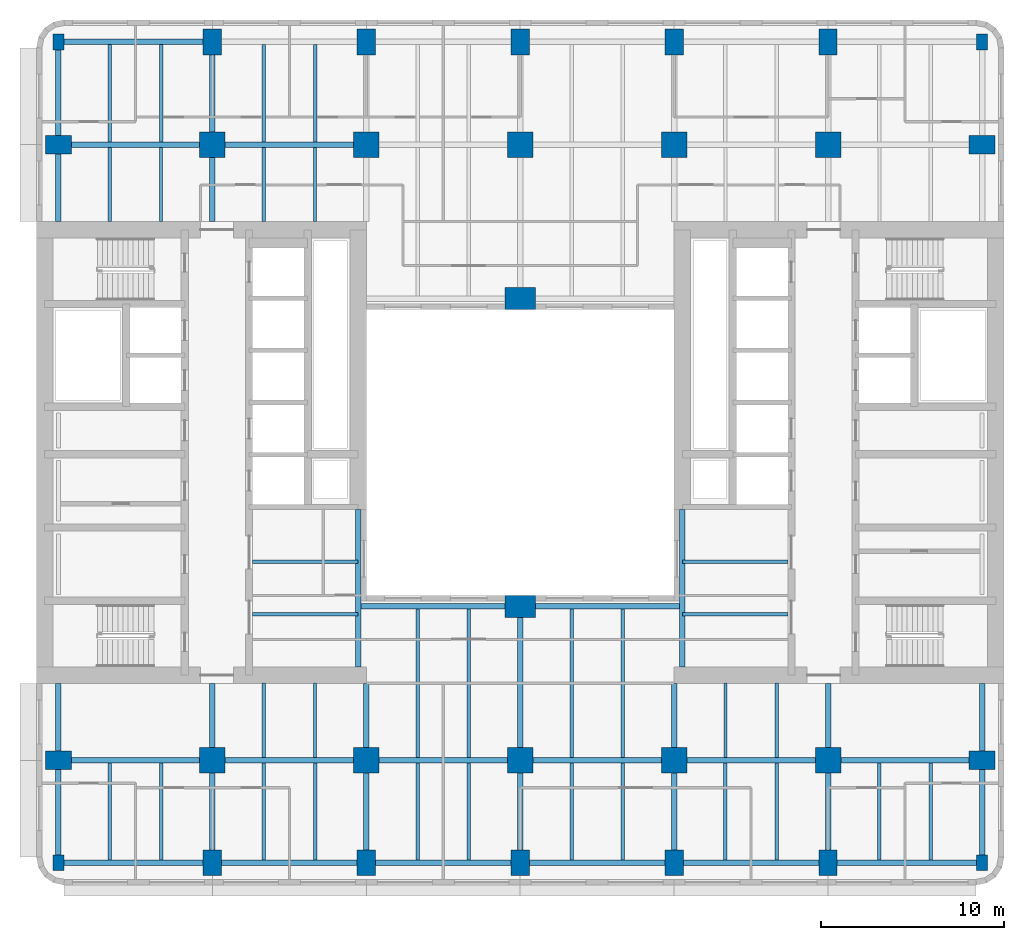
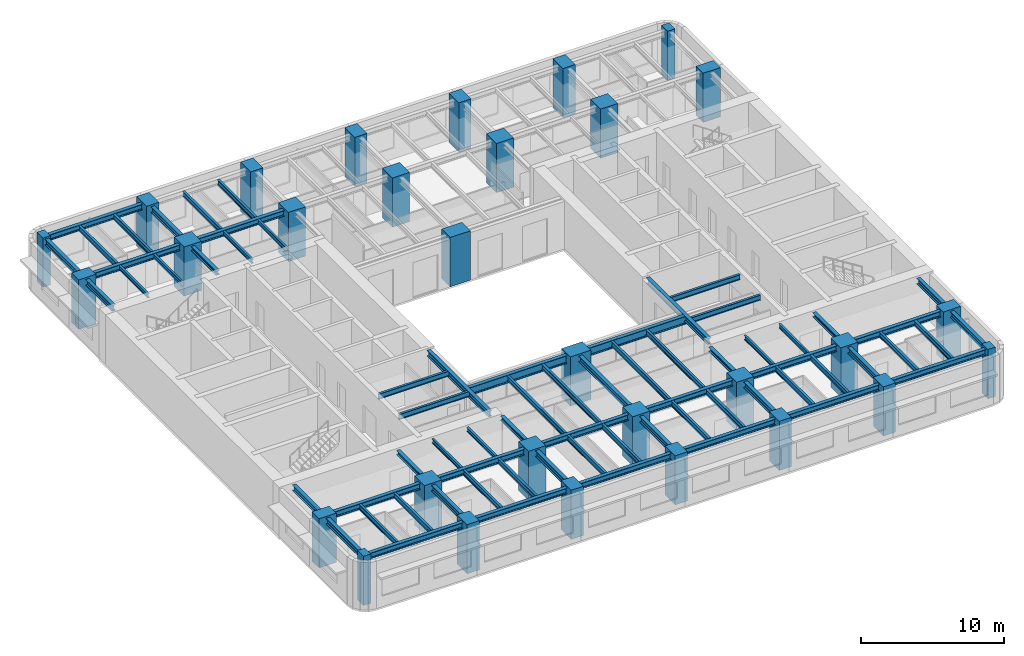
# One storey, part 1 of 11: 69 beams, 30 columns.
"""IFC4 building model written with IfcOpenShell, lengths in metres."""

from ifc_helpers import new_model, si_unit, direction, frame, origin, origin_2d, place, context, subcontext, project, spatial, rectangle, i_section, extrude, material, material_profile, profile_set, type_object, element, save


model = new_model("IFC4")

# Units and contexts
model_context = context("Model", 3, precision=1e-05, world=origin(), true_north=direction((0.0, 1.0)))
body_context = subcontext(model_context, "Body", "Model", "MODEL_VIEW")
ifc_project = project(units=[si_unit("LENGTHUNIT", "METRE"), si_unit("AREAUNIT", "SQUARE_METRE"), si_unit("VOLUMEUNIT", "CUBIC_METRE"), si_unit("PLANEANGLEUNIT", "RADIAN"), si_unit("MASSUNIT", "GRAM", prefix="KILO")], contexts=[model_context])

# Site, building, storey
site_placement = place(None, origin())
site = spatial("IfcSite", under=ifc_project, at=site_placement, CompositionType="ELEMENT")
building_placement = place(site_placement, origin())
building = spatial("IfcBuilding", under=site, at=building_placement, Name="Claustro Exchange Tower", CompositionType="ELEMENT")
storey_placement = place(building_placement, frame((0.0, 0.0, 147.0)))
storey = spatial("IfcBuildingStorey", under=building, at=storey_placement, Name="L33", CompositionType="ELEMENT", Elevation=147.0)

# Columns
ifc_material_1 = material(Name="Concrete HA-70 (C70/85)", Category="concrete")
ifc_material_profile_1 = material_profile(ifc_material_1, rectangle(XDim=1.39990234375, YDim=1.39990234375, at=origin_2d()), Name="RC 1400x1400")
ifc_profile_set_1 = profile_set([ifc_material_profile_1], Name="Concrete HA-70 (C70/85)")
column_type_1 = type_object("IfcColumnType", Name="C0 RC 1400x1400 HA-70 column", PredefinedType="COLUMN", material=ifc_profile_set_1)
for number, where, z_axis, x_axis, name in (
    (1, (8.39990234375, 8.39990234375, 0.0), (0.0, 0.0, 1.0), (1.0, 0.0, 0.0), "Column C0 2/B L33"),
    (2, (8.39990234375, 42.0, 0.0), (0.0, 0.0, 1.0), (1.0, 0.0, 0.0), "Column C0 2/F L33"),
    (3, (16.800048828125, 8.39990234375, 0.0), (0.0, 0.0, 1.0), (1.0, 0.0, 0.0), "Column C0 3/B L33"),
    (4, (16.800048828125, 42.0, 0.0), (0.0, 0.0, 1.0), (1.0, 0.0, 0.0), "Column C0 3/F L33"),
    (5, (25.199951171875, 8.39990234375, 0.0), (0.0, 0.0, 1.0), (1.0, 0.0, 0.0), "Column C0 4/B L33"),
    (6, (25.199951171875, 42.0, 0.0), (0.0, 0.0, 1.0), (1.0, 0.0, 0.0), "Column C0 4/F L33"),
    (7, (33.60009765625, 8.39990234375, 0.0), (0.0, 0.0, 1.0), (1.0, 0.0, 0.0), "Column C0 5/B L33"),
    (8, (33.60009765625, 42.0, 0.0), (0.0, 0.0, 1.0), (1.0, 0.0, 0.0), "Column C0 5/F L33"),
    (9, (42.0, 8.39990234375, 0.0), (0.0, 0.0, 1.0), (1.0, 0.0, 0.0), "Column C0 6/B L33"),
    (10, (42.0, 42.0, 0.0), (0.0, 0.0, 1.0), (1.0, 0.0, 0.0), "Column C0 6/F L33"),
):
    element("IfcColumn", number, at=place(storey_placement, frame(where, z_axis=z_axis, x_axis=x_axis)), inside=storey, type_object=column_type_1, Name=name, PredefinedType="COLUMN", context=body_context, shape_type="SweptSolid", body=[
        extrude(rectangle(XDim=1.39990234375, YDim=1.39990234375, at=origin_2d()), origin(), (0.0, 0.0, 1.0), 4.199951171875),
    ])
ifc_material_2 = material(Name="Concrete HA-70 (C70/85)", Category="concrete")
ifc_material_profile_2 = material_profile(ifc_material_2, rectangle(XDim=1.0, YDim=1.39990234375, at=origin_2d()), Name="RC 1000x1400")
ifc_profile_set_2 = profile_set([ifc_material_profile_2], Name="Concrete HA-70 (C70/85)")
column_type_2 = type_object("IfcColumnType", Name="C22 RC 1000x1400 HA-70 perimeter column", PredefinedType="COLUMN", material=ifc_profile_set_2)
for number, where, z_axis, x_axis, name in (
    (11, (0.0, 8.39990234375, 0.0), (0.0, 0.0, 1.0), (0.0, 1.0, 0.0), "Column C22 1/B L33"),
    (12, (0.0, 42.0, 0.0), (0.0, 0.0, 1.0), (0.0, 1.0, 0.0), "Column C22 1/F L33"),
    (13, (8.39990234375, 2.800048828125, 0.0), (0.0, 0.0, 1.0), (1.0, 0.0, 0.0), "Column C22 2/A+2800 L33"),
    (14, (8.39990234375, 47.60009765625, 0.0), (0.0, 0.0, 1.0), (1.0, 0.0, 0.0), "Column C22 2/F+5600 L33"),
    (15, (16.800048828125, 2.800048828125, 0.0), (0.0, 0.0, 1.0), (1.0, 0.0, 0.0), "Column C22 3/A+2800 L33"),
    (16, (16.800048828125, 47.60009765625, 0.0), (0.0, 0.0, 1.0), (1.0, 0.0, 0.0), "Column C22 3/F+5600 L33"),
    (17, (25.199951171875, 2.800048828125, 0.0), (0.0, 0.0, 1.0), (1.0, 0.0, 0.0), "Column C22 4/A+2800 L33"),
    (18, (25.199951171875, 47.60009765625, 0.0), (0.0, 0.0, 1.0), (1.0, 0.0, 0.0), "Column C22 4/F+5600 L33"),
    (19, (33.60009765625, 2.800048828125, 0.0), (0.0, 0.0, 1.0), (1.0, 0.0, 0.0), "Column C22 5/A+2800 L33"),
    (20, (33.60009765625, 47.60009765625, 0.0), (0.0, 0.0, 1.0), (1.0, 0.0, 0.0), "Column C22 5/F+5600 L33"),
    (21, (42.0, 2.800048828125, 0.0), (0.0, 0.0, 1.0), (1.0, 0.0, 0.0), "Column C22 6/A+2800 L33"),
    (22, (42.0, 47.60009765625, 0.0), (0.0, 0.0, 1.0), (1.0, 0.0, 0.0), "Column C22 6/F+5600 L33"),
    (23, (50.39990234375, 8.39990234375, 0.0), (0.0, 0.0, 1.0), (0.0, 1.0, 0.0), "Column C22 7/B L33"),
    (24, (50.39990234375, 42.0, 0.0), (0.0, 0.0, 1.0), (0.0, 1.0, 0.0), "Column C22 7/F L33"),
):
    element("IfcColumn", number, at=place(storey_placement, frame(where, z_axis=z_axis, x_axis=x_axis)), inside=storey, type_object=column_type_2, Name=name, PredefinedType="COLUMN", context=body_context, shape_type="SweptSolid", body=[
        extrude(rectangle(XDim=1.0, YDim=1.39990234375, at=origin_2d()), origin(), (0.0, 0.0, 1.0), 4.199951171875),
    ])
ifc_material_3 = material(Name="Concrete HA-50 (C50/60)", Category="concrete")
ifc_material_profile_3 = material_profile(ifc_material_3, rectangle(XDim=0.60009765625, YDim=0.85009765625, at=origin_2d()), Name="RC 600x850")
ifc_profile_set_3 = profile_set([ifc_material_profile_3], Name="Concrete HA-50 (C50/60)")
column_type_3 = type_object("IfcColumnType", Name="C25 RC 600x850 HA-50 corner column", PredefinedType="COLUMN", material=ifc_profile_set_3)
for number, where, z_axis, x_axis, name in (
    (25, (0.0, 2.800048828125, 0.0), (0.0, 0.0, 1.0), (1.0, 0.0, 0.0), "Column C25 1/A+2800 L33"),
    (26, (0.0, 47.60009765625, 0.0), (0.0, 0.0, 1.0), (1.0, 0.0, 0.0), "Column C25 1/F+5600 L33"),
    (27, (50.39990234375, 2.800048828125, 0.0), (0.0, 0.0, 1.0), (1.0, 0.0, 0.0), "Column C25 7/A+2800 L33"),
    (28, (50.39990234375, 47.60009765625, 0.0), (0.0, 0.0, 1.0), (1.0, 0.0, 0.0), "Column C25 7/F+5600 L33"),
):
    element("IfcColumn", number, at=place(storey_placement, frame(where, z_axis=z_axis, x_axis=x_axis)), inside=storey, type_object=column_type_3, Name=name, PredefinedType="COLUMN", context=body_context, shape_type="SweptSolid", body=[
        extrude(rectangle(XDim=0.60009765625, YDim=0.85009765625, at=origin_2d()), origin(), (0.0, 0.0, 1.0), 4.199951171875),
    ])
ifc_material_4 = material(Name="Concrete HA-70 (C70/85)", Category="concrete")
ifc_material_profile_4 = material_profile(ifc_material_4, rectangle(XDim=1.64990234375, YDim=1.199951171875, at=origin_2d()), Name="RC 1650x1200")
ifc_profile_set_4 = profile_set([ifc_material_profile_4], Name="Concrete HA-70 (C70/85)")
column_type_4 = type_object("IfcColumnType", Name="C32 RC 1650x1200 HA-70 light well column", PredefinedType="COLUMN", material=ifc_profile_set_4)
for number, where, z_axis, x_axis, name in (
    (29, (25.199951171875, 16.800048828125, 0.0), (0.0, 0.0, 1.0), (1.0, 0.0, 0.0), "Column C32 4/C L33"),
    (30, (25.199951171875, 33.60009765625, 0.0), (0.0, 0.0, 1.0), (1.0, 0.0, 0.0), "Column C32 4/E L33"),
):
    element("IfcColumn", number, at=place(storey_placement, frame(where, z_axis=z_axis, x_axis=x_axis)), inside=storey, type_object=column_type_4, Name=name, PredefinedType="COLUMN", context=body_context, shape_type="SweptSolid", body=[
        extrude(rectangle(XDim=1.64990234375, YDim=1.199951171875, at=origin_2d()), origin(), (0.0, 0.0, 1.0), 4.199951171875),
    ])

# Beams
ifc_material_5 = material(Name="Steel S355", Category="steel")
ifc_material_profile_5 = material_profile(ifc_material_5, i_section(OverallWidth=0.300048828125, OverallDepth=0.68994140625, WebThickness=0.014404296875, FlangeThickness=0.027099609375, FilletRadius=0.027099609375, at=origin_2d()), Name="HE 700 A")
ifc_profile_set_5 = profile_set([ifc_material_profile_5], Name="Steel S355")
beam_type_1 = type_object("IfcBeamType", Name="B13 HE 700 A light well edge girder", PredefinedType="BEAM", material=ifc_profile_set_5)
beam_1_placement = place(storey_placement, frame((16.35009765625, 16.800048828125, 3.705078125), z_axis=(1.0, 0.0, 0.0), x_axis=(0.0, 1.0, 0.0)))
element("IfcBeam", 31, at=beam_1_placement, inside=storey, type_object=beam_type_1, Name="Beam B13 L34", PredefinedType="BEAM", context=body_context, shape_type="SweptSolid", body=[
    extrude(i_section(OverallWidth=0.300048828125, OverallDepth=0.68994140625, WebThickness=0.014404296875, FlangeThickness=0.027099609375, FilletRadius=0.027099609375, at=origin_2d()), origin(), (0.0, 0.0, 1.0), 8.849853515625),
])
beam_2_placement = place(storey_placement, frame((25.199951171875, 16.800048828125, 3.705078125), z_axis=(1.0, 0.0, 0.0), x_axis=(0.0, 1.0, 0.0)))
element("IfcBeam", 32, at=beam_2_placement, inside=storey, type_object=beam_type_1, Name="Beam B13 L34", PredefinedType="BEAM", context=body_context, shape_type="SweptSolid", body=[
    extrude(i_section(OverallWidth=0.300048828125, OverallDepth=0.68994140625, WebThickness=0.014404296875, FlangeThickness=0.027099609375, FilletRadius=0.027099609375, at=origin_2d()), origin(), (0.0, 0.0, 1.0), 8.85009765625),
])
ifc_material_6 = material(Name="Steel S355", Category="steel")
ifc_material_profile_6 = material_profile(ifc_material_6, i_section(OverallWidth=0.169921875, OverallDepth=0.360107421875, WebThickness=0.008056640625, FlangeThickness=0.0126953125, FilletRadius=0.01806640625, at=origin_2d()), Name="IPE 360")
ifc_profile_set_6 = profile_set([ifc_material_profile_6], Name="Steel S355")
beam_type_2 = type_object("IfcBeamType", Name="B16 IPE 360 short-span beam", PredefinedType="BEAM", material=ifc_profile_set_6)
for number, where, z_axis, x_axis, name in (
    (33, (2.800048828125, 37.7900390625, 3.8701171875), (0.0, 1.0, 0.0), (-1.0, 0.0, 0.0), "Beam B16 L34"),
    (34, (5.60009765625, 37.7900390625, 3.8701171875), (0.0, 1.0, 0.0), (-1.0, 0.0, 0.0), "Beam B16 L34"),
    (35, (11.199951171875, 8.550048828125, 3.8701171875), (0.0, 1.0, 0.0), (-1.0, 0.0, 0.0), "Beam B16 L34"),
    (36, (14.0, 8.550048828125, 3.8701171875), (0.0, 1.0, 0.0), (-1.0, 0.0, 0.0), "Beam B16 L34"),
    (37, (11.199951171875, 37.7900390625, 3.8701171875), (0.0, 1.0, 0.0), (-1.0, 0.0, 0.0), "Beam B16 L34"),
    (38, (14.0, 37.7900390625, 3.8701171875), (0.0, 1.0, 0.0), (-1.0, 0.0, 0.0), "Beam B16 L34"),
    (39, (36.39990234375, 8.550048828125, 3.8701171875), (0.0, 1.0, 0.0), (-1.0, 0.0, 0.0), "Beam B16 L34"),
    (40, (39.199951171875, 8.550048828125, 3.8701171875), (0.0, 1.0, 0.0), (-1.0, 0.0, 0.0), "Beam B16 L34"),
):
    element("IfcBeam", number, at=place(storey_placement, frame(where, z_axis=z_axis, x_axis=x_axis)), inside=storey, type_object=beam_type_2, Name=name, PredefinedType="BEAM", context=body_context, shape_type="SweptSolid", body=[
        extrude(i_section(OverallWidth=0.169921875, OverallDepth=0.360107421875, WebThickness=0.008056640625, FlangeThickness=0.0126953125, FilletRadius=0.01806640625, at=origin_2d()), origin(), (0.0, 0.0, 1.0), 4.06005859375),
    ])
ifc_material_7 = material(Name="Steel S355", Category="steel")
ifc_material_profile_7 = material_profile(ifc_material_7, i_section(OverallWidth=0.300048828125, OverallDepth=0.360107421875, WebThickness=0.012451171875, FlangeThickness=0.0224609375, FilletRadius=0.027099609375, at=origin_2d()), Name="HE 360 B")
ifc_profile_set_7 = profile_set([ifc_material_profile_7], Name="Steel S355")
beam_type_3 = type_object("IfcBeamType", Name="B29 HE 360 B column to core link beam", PredefinedType="BEAM", material=ifc_profile_set_7)
beam_3_placement = place(storey_placement, frame((8.39990234375, 8.39990234375, 3.8701171875), z_axis=(0.0, 1.0, 0.0), x_axis=(-1.0, 0.0, 0.0)))
element("IfcBeam", 41, at=beam_3_placement, inside=storey, type_object=beam_type_3, Name="Beam B29 L34", PredefinedType="BEAM", context=body_context, shape_type="SweptSolid", body=[
    extrude(i_section(OverallWidth=0.300048828125, OverallDepth=0.360107421875, WebThickness=0.012451171875, FlangeThickness=0.0224609375, FilletRadius=0.027099609375, at=origin_2d()), origin(), (0.0, 0.0, 1.0), 4.2001953125),
])
beam_4_placement = place(storey_placement, frame((8.39990234375, 37.800048828125, 3.8701171875), z_axis=(0.0, 1.0, 0.0), x_axis=(-1.0, 0.0, 0.0)))
element("IfcBeam", 42, at=beam_4_placement, inside=storey, type_object=beam_type_3, Name="Beam B29 L34", PredefinedType="BEAM", context=body_context, shape_type="SweptSolid", body=[
    extrude(i_section(OverallWidth=0.300048828125, OverallDepth=0.360107421875, WebThickness=0.012451171875, FlangeThickness=0.0224609375, FilletRadius=0.027099609375, at=origin_2d()), origin(), (0.0, 0.0, 1.0), 4.199951171875),
])
for number, where, z_axis, x_axis, name in (
    (43, (16.800048828125, 8.39990234375, 3.8701171875), (0.0, 1.0, 0.0), (-1.0, 0.0, 0.0), "Beam B29 L34"),
    (44, (33.60009765625, 8.39990234375, 3.8701171875), (0.0, 1.0, 0.0), (-1.0, 0.0, 0.0), "Beam B29 L34"),
    (45, (42.0, 8.39990234375, 3.8701171875), (0.0, 1.0, 0.0), (-1.0, 0.0, 0.0), "Beam B29 L34"),
):
    element("IfcBeam", number, at=place(storey_placement, frame(where, z_axis=z_axis, x_axis=x_axis)), inside=storey, type_object=beam_type_3, Name=name, PredefinedType="BEAM", context=body_context, shape_type="SweptSolid", body=[
        extrude(i_section(OverallWidth=0.300048828125, OverallDepth=0.360107421875, WebThickness=0.012451171875, FlangeThickness=0.0224609375, FilletRadius=0.027099609375, at=origin_2d()), origin(), (0.0, 0.0, 1.0), 4.2001953125),
    ])
ifc_material_8 = material(Name="Steel S355", Category="steel")
ifc_material_profile_8 = material_profile(ifc_material_8, i_section(OverallWidth=0.300048828125, OverallDepth=0.5, WebThickness=0.014404296875, FlangeThickness=0.028076171875, FilletRadius=0.027099609375, at=origin_2d()), Name="HE 500 B")
ifc_profile_set_8 = profile_set([ifc_material_profile_8], Name="Steel S355")
beam_type_4 = type_object("IfcBeamType", Name="B7 HE 500 B floor girder", PredefinedType="BEAM", material=ifc_profile_set_8)
beam_5_placement = place(storey_placement, frame((8.39990234375, 2.800048828125, 3.800048828125), z_axis=(0.0, 1.0, 0.0), x_axis=(-1.0, 0.0, 0.0)))
element("IfcBeam", 46, at=beam_5_placement, inside=storey, type_object=beam_type_4, Name="Beam B7 L34", PredefinedType="BEAM", context=body_context, shape_type="SweptSolid", body=[
    extrude(i_section(OverallWidth=0.300048828125, OverallDepth=0.5, WebThickness=0.014404296875, FlangeThickness=0.028076171875, FilletRadius=0.027099609375, at=origin_2d()), origin(), (0.0, 0.0, 1.0), 5.599853515625),
])
beam_6_placement = place(storey_placement, frame((8.39990234375, 42.0, 3.800048828125), z_axis=(0.0, 1.0, 0.0), x_axis=(-1.0, 0.0, 0.0)))
element("IfcBeam", 47, at=beam_6_placement, inside=storey, type_object=beam_type_4, Name="Beam B7 L34", PredefinedType="BEAM", context=body_context, shape_type="SweptSolid", body=[
    extrude(i_section(OverallWidth=0.300048828125, OverallDepth=0.5, WebThickness=0.014404296875, FlangeThickness=0.028076171875, FilletRadius=0.027099609375, at=origin_2d()), origin(), (0.0, 0.0, 1.0), 5.60009765625),
])
for number, where, z_axis, x_axis, name in (
    (48, (16.800048828125, 2.800048828125, 3.800048828125), (0.0, 1.0, 0.0), (-1.0, 0.0, 0.0), "Beam B7 L34"),
    (49, (25.199951171875, 2.800048828125, 3.800048828125), (0.0, 1.0, 0.0), (-1.0, 0.0, 0.0), "Beam B7 L34"),
):
    element("IfcBeam", number, at=place(storey_placement, frame(where, z_axis=z_axis, x_axis=x_axis)), inside=storey, type_object=beam_type_4, Name=name, PredefinedType="BEAM", context=body_context, shape_type="SweptSolid", body=[
        extrude(i_section(OverallWidth=0.300048828125, OverallDepth=0.5, WebThickness=0.014404296875, FlangeThickness=0.028076171875, FilletRadius=0.027099609375, at=origin_2d()), origin(), (0.0, 0.0, 1.0), 5.599853515625),
    ])
beam_7_placement = place(storey_placement, frame((25.199951171875, 8.39990234375, 3.800048828125), z_axis=(0.0, 1.0, 0.0), x_axis=(-1.0, 0.0, 0.0)))
element("IfcBeam", 50, at=beam_7_placement, inside=storey, type_object=beam_type_4, Name="Beam B7 L34", PredefinedType="BEAM", context=body_context, shape_type="SweptSolid", body=[
    extrude(i_section(OverallWidth=0.300048828125, OverallDepth=0.5, WebThickness=0.014404296875, FlangeThickness=0.028076171875, FilletRadius=0.027099609375, at=origin_2d()), origin(), (0.0, 0.0, 1.0), 8.400146484375),
])
for number, where, z_axis, x_axis, name in (
    (51, (33.60009765625, 2.800048828125, 3.800048828125), (0.0, 1.0, 0.0), (-1.0, 0.0, 0.0), "Beam B7 L34"),
    (52, (42.0, 2.800048828125, 3.800048828125), (0.0, 1.0, 0.0), (-1.0, 0.0, 0.0), "Beam B7 L34"),
):
    element("IfcBeam", number, at=place(storey_placement, frame(where, z_axis=z_axis, x_axis=x_axis)), inside=storey, type_object=beam_type_4, Name=name, PredefinedType="BEAM", context=body_context, shape_type="SweptSolid", body=[
        extrude(i_section(OverallWidth=0.300048828125, OverallDepth=0.5, WebThickness=0.014404296875, FlangeThickness=0.028076171875, FilletRadius=0.027099609375, at=origin_2d()), origin(), (0.0, 0.0, 1.0), 5.599853515625),
    ])
beam_8_placement = place(storey_placement, frame((0.0, 8.39990234375, 3.800048828125), z_axis=(1.0, 0.0, 0.0), x_axis=(0.0, 1.0, 0.0)))
element("IfcBeam", 53, at=beam_8_placement, inside=storey, type_object=beam_type_4, Name="Beam B7 L34", PredefinedType="BEAM", context=body_context, shape_type="SweptSolid", body=[
    extrude(i_section(OverallWidth=0.300048828125, OverallDepth=0.5, WebThickness=0.014404296875, FlangeThickness=0.028076171875, FilletRadius=0.027099609375, at=origin_2d()), origin(), (0.0, 0.0, 1.0), 8.39990234375),
])
beam_9_placement = place(storey_placement, frame((8.39990234375, 8.39990234375, 3.800048828125), z_axis=(1.0, 0.0, 0.0), x_axis=(0.0, 1.0, 0.0)))
element("IfcBeam", 54, at=beam_9_placement, inside=storey, type_object=beam_type_4, Name="Beam B7 L34", PredefinedType="BEAM", context=body_context, shape_type="SweptSolid", body=[
    extrude(i_section(OverallWidth=0.300048828125, OverallDepth=0.5, WebThickness=0.014404296875, FlangeThickness=0.028076171875, FilletRadius=0.027099609375, at=origin_2d()), origin(), (0.0, 0.0, 1.0), 8.400146484375),
])
beam_10_placement = place(storey_placement, frame((16.800048828125, 8.39990234375, 3.800048828125), z_axis=(1.0, 0.0, 0.0), x_axis=(0.0, 1.0, 0.0)))
element("IfcBeam", 55, at=beam_10_placement, inside=storey, type_object=beam_type_4, Name="Beam B7 L34", PredefinedType="BEAM", context=body_context, shape_type="SweptSolid", body=[
    extrude(i_section(OverallWidth=0.300048828125, OverallDepth=0.5, WebThickness=0.014404296875, FlangeThickness=0.028076171875, FilletRadius=0.027099609375, at=origin_2d()), origin(), (0.0, 0.0, 1.0), 8.39990234375),
])
beam_11_placement = place(storey_placement, frame((25.199951171875, 8.39990234375, 3.800048828125), z_axis=(1.0, 0.0, 0.0), x_axis=(0.0, 1.0, 0.0)))
element("IfcBeam", 56, at=beam_11_placement, inside=storey, type_object=beam_type_4, Name="Beam B7 L34", PredefinedType="BEAM", context=body_context, shape_type="SweptSolid", body=[
    extrude(i_section(OverallWidth=0.300048828125, OverallDepth=0.5, WebThickness=0.014404296875, FlangeThickness=0.028076171875, FilletRadius=0.027099609375, at=origin_2d()), origin(), (0.0, 0.0, 1.0), 8.400146484375),
])
for number, where, z_axis, x_axis, name in (
    (57, (33.60009765625, 8.39990234375, 3.800048828125), (1.0, 0.0, 0.0), (0.0, 1.0, 0.0), "Beam B7 L34"),
    (58, (42.0, 8.39990234375, 3.800048828125), (1.0, 0.0, 0.0), (0.0, 1.0, 0.0), "Beam B7 L34"),
    (59, (0.0, 42.0, 3.800048828125), (1.0, 0.0, 0.0), (0.0, 1.0, 0.0), "Beam B7 L34"),
):
    element("IfcBeam", number, at=place(storey_placement, frame(where, z_axis=z_axis, x_axis=x_axis)), inside=storey, type_object=beam_type_4, Name=name, PredefinedType="BEAM", context=body_context, shape_type="SweptSolid", body=[
        extrude(i_section(OverallWidth=0.300048828125, OverallDepth=0.5, WebThickness=0.014404296875, FlangeThickness=0.028076171875, FilletRadius=0.027099609375, at=origin_2d()), origin(), (0.0, 0.0, 1.0), 8.39990234375),
    ])
beam_12_placement = place(storey_placement, frame((8.39990234375, 42.0, 3.800048828125), z_axis=(1.0, 0.0, 0.0), x_axis=(0.0, 1.0, 0.0)))
element("IfcBeam", 60, at=beam_12_placement, inside=storey, type_object=beam_type_4, Name="Beam B7 L34", PredefinedType="BEAM", context=body_context, shape_type="SweptSolid", body=[
    extrude(i_section(OverallWidth=0.300048828125, OverallDepth=0.5, WebThickness=0.014404296875, FlangeThickness=0.028076171875, FilletRadius=0.027099609375, at=origin_2d()), origin(), (0.0, 0.0, 1.0), 8.400146484375),
])
for number, where, z_axis, x_axis, name in (
    (61, (16.35009765625, 13.5, 3.800048828125), (0.0, 1.0, 0.0), (-1.0, 0.0, 0.0), "Beam B7 core step framing L34"),
    (62, (34.050048828125, 13.5, 3.800048828125), (0.0, 1.0, 0.0), (-1.0, 0.0, 0.0), "Beam B7 core step framing L34"),
):
    element("IfcBeam", number, at=place(storey_placement, frame(where, z_axis=z_axis, x_axis=x_axis)), inside=storey, type_object=beam_type_4, Name=name, PredefinedType="BEAM", context=body_context, shape_type="SweptSolid", body=[
        extrude(i_section(OverallWidth=0.300048828125, OverallDepth=0.5, WebThickness=0.014404296875, FlangeThickness=0.028076171875, FilletRadius=0.027099609375, at=origin_2d()), origin(), (0.0, 0.0, 1.0), 8.60009765625),
    ])
ifc_material_9 = material(Name="Steel S355", Category="steel")
ifc_material_profile_9 = material_profile(ifc_material_9, i_section(OverallWidth=0.18994140625, OverallDepth=0.449951171875, WebThickness=0.009521484375, FlangeThickness=0.0146484375, FilletRadius=0.02099609375, at=origin_2d()), Name="IPE 450")
ifc_profile_set_9 = profile_set([ifc_material_profile_9], Name="Steel S355")
beam_type_5 = type_object("IfcBeamType", Name="B8 IPE 450 secondary beam", PredefinedType="BEAM", material=ifc_profile_set_9)
for number, where, z_axis, x_axis, name in (
    (63, (2.800048828125, 2.949951171875, 3.824951171875), (0.0, 1.0, 0.0), (-1.0, 0.0, 0.0), "Beam B8 L34"),
    (64, (5.60009765625, 2.949951171875, 3.824951171875), (0.0, 1.0, 0.0), (-1.0, 0.0, 0.0), "Beam B8 L34"),
    (65, (2.800048828125, 42.14990234375, 3.824951171875), (0.0, 1.0, 0.0), (-1.0, 0.0, 0.0), "Beam B8 L34"),
    (66, (5.60009765625, 42.14990234375, 3.824951171875), (0.0, 1.0, 0.0), (-1.0, 0.0, 0.0), "Beam B8 L34"),
    (67, (11.199951171875, 2.949951171875, 3.824951171875), (0.0, 1.0, 0.0), (-1.0, 0.0, 0.0), "Beam B8 L34"),
    (68, (14.0, 2.949951171875, 3.824951171875), (0.0, 1.0, 0.0), (-1.0, 0.0, 0.0), "Beam B8 L34"),
    (69, (11.199951171875, 42.14990234375, 3.824951171875), (0.0, 1.0, 0.0), (-1.0, 0.0, 0.0), "Beam B8 L34"),
    (70, (14.0, 42.14990234375, 3.824951171875), (0.0, 1.0, 0.0), (-1.0, 0.0, 0.0), "Beam B8 L34"),
    (71, (19.60009765625, 2.949951171875, 3.824951171875), (0.0, 1.0, 0.0), (-1.0, 0.0, 0.0), "Beam B8 L34"),
    (72, (22.39990234375, 2.949951171875, 3.824951171875), (0.0, 1.0, 0.0), (-1.0, 0.0, 0.0), "Beam B8 L34"),
):
    element("IfcBeam", number, at=place(storey_placement, frame(where, z_axis=z_axis, x_axis=x_axis)), inside=storey, type_object=beam_type_5, Name=name, PredefinedType="BEAM", context=body_context, shape_type="SweptSolid", body=[
        extrude(i_section(OverallWidth=0.18994140625, OverallDepth=0.449951171875, WebThickness=0.009521484375, FlangeThickness=0.0146484375, FilletRadius=0.02099609375, at=origin_2d()), origin(), (0.0, 0.0, 1.0), 5.300048828125),
    ])
for number, where, z_axis, x_axis, name in (
    (73, (19.60009765625, 8.550048828125, 3.824951171875), (0.0, 1.0, 0.0), (-1.0, 0.0, 0.0), "Beam B8 L34"),
    (74, (22.39990234375, 8.550048828125, 3.824951171875), (0.0, 1.0, 0.0), (-1.0, 0.0, 0.0), "Beam B8 L34"),
):
    element("IfcBeam", number, at=place(storey_placement, frame(where, z_axis=z_axis, x_axis=x_axis)), inside=storey, type_object=beam_type_5, Name=name, PredefinedType="BEAM", context=body_context, shape_type="SweptSolid", body=[
        extrude(i_section(OverallWidth=0.18994140625, OverallDepth=0.449951171875, WebThickness=0.009521484375, FlangeThickness=0.0146484375, FilletRadius=0.02099609375, at=origin_2d()), origin(), (0.0, 0.0, 1.0), 8.099853515625),
    ])
for number, where, z_axis, x_axis, name in (
    (75, (28.0, 2.949951171875, 3.824951171875), (0.0, 1.0, 0.0), (-1.0, 0.0, 0.0), "Beam B8 L34"),
    (76, (30.800048828125, 2.949951171875, 3.824951171875), (0.0, 1.0, 0.0), (-1.0, 0.0, 0.0), "Beam B8 L34"),
):
    element("IfcBeam", number, at=place(storey_placement, frame(where, z_axis=z_axis, x_axis=x_axis)), inside=storey, type_object=beam_type_5, Name=name, PredefinedType="BEAM", context=body_context, shape_type="SweptSolid", body=[
        extrude(i_section(OverallWidth=0.18994140625, OverallDepth=0.449951171875, WebThickness=0.009521484375, FlangeThickness=0.0146484375, FilletRadius=0.02099609375, at=origin_2d()), origin(), (0.0, 0.0, 1.0), 5.300048828125),
    ])
for number, where, z_axis, x_axis, name in (
    (77, (28.0, 8.550048828125, 3.824951171875), (0.0, 1.0, 0.0), (-1.0, 0.0, 0.0), "Beam B8 L34"),
    (78, (30.800048828125, 8.550048828125, 3.824951171875), (0.0, 1.0, 0.0), (-1.0, 0.0, 0.0), "Beam B8 L34"),
):
    element("IfcBeam", number, at=place(storey_placement, frame(where, z_axis=z_axis, x_axis=x_axis)), inside=storey, type_object=beam_type_5, Name=name, PredefinedType="BEAM", context=body_context, shape_type="SweptSolid", body=[
        extrude(i_section(OverallWidth=0.18994140625, OverallDepth=0.449951171875, WebThickness=0.009521484375, FlangeThickness=0.0146484375, FilletRadius=0.02099609375, at=origin_2d()), origin(), (0.0, 0.0, 1.0), 8.099853515625),
    ])
for number, where, z_axis, x_axis, name in (
    (79, (36.39990234375, 2.949951171875, 3.824951171875), (0.0, 1.0, 0.0), (-1.0, 0.0, 0.0), "Beam B8 L34"),
    (80, (39.199951171875, 2.949951171875, 3.824951171875), (0.0, 1.0, 0.0), (-1.0, 0.0, 0.0), "Beam B8 L34"),
    (81, (44.800048828125, 2.949951171875, 3.824951171875), (0.0, 1.0, 0.0), (-1.0, 0.0, 0.0), "Beam B8 L34"),
    (82, (47.60009765625, 2.949951171875, 3.824951171875), (0.0, 1.0, 0.0), (-1.0, 0.0, 0.0), "Beam B8 L34"),
):
    element("IfcBeam", number, at=place(storey_placement, frame(where, z_axis=z_axis, x_axis=x_axis)), inside=storey, type_object=beam_type_5, Name=name, PredefinedType="BEAM", context=body_context, shape_type="SweptSolid", body=[
        extrude(i_section(OverallWidth=0.18994140625, OverallDepth=0.449951171875, WebThickness=0.009521484375, FlangeThickness=0.0146484375, FilletRadius=0.02099609375, at=origin_2d()), origin(), (0.0, 0.0, 1.0), 5.300048828125),
    ])
for number, where, z_axis, x_axis, name in (
    (83, (10.60009765625, 16.36669921875, 3.824951171875), (1.0, 0.0, 0.0), (0.0, 1.0, 0.0), "Beam B8 core step framing L34"),
    (84, (10.60009765625, 19.2333984375, 3.824951171875), (1.0, 0.0, 0.0), (0.0, 1.0, 0.0), "Beam B8 core step framing L34"),
    (85, (34.050048828125, 16.36669921875, 3.824951171875), (1.0, 0.0, 0.0), (0.0, 1.0, 0.0), "Beam B8 core step framing L34"),
    (86, (34.050048828125, 19.2333984375, 3.824951171875), (1.0, 0.0, 0.0), (0.0, 1.0, 0.0), "Beam B8 core step framing L34"),
):
    element("IfcBeam", number, at=place(storey_placement, frame(where, z_axis=z_axis, x_axis=x_axis)), inside=storey, type_object=beam_type_5, Name=name, PredefinedType="BEAM", context=body_context, shape_type="SweptSolid", body=[
        extrude(i_section(OverallWidth=0.18994140625, OverallDepth=0.449951171875, WebThickness=0.009521484375, FlangeThickness=0.0146484375, FilletRadius=0.02099609375, at=origin_2d()), origin(), (0.0, 0.0, 1.0), 5.75),
    ])
ifc_material_10 = material(Name="Steel S355", Category="steel")
ifc_material_profile_10 = material_profile(ifc_material_10, i_section(OverallWidth=0.300048828125, OverallDepth=0.489990234375, WebThickness=0.011962890625, FlangeThickness=0.02294921875, FilletRadius=0.027099609375, at=origin_2d()), Name="HE 500 A")
ifc_profile_set_10 = profile_set([ifc_material_profile_10], Name="Steel S355")
beam_type_6 = type_object("IfcBeamType", Name="B9 HE 500 A spandrel edge girder", PredefinedType="SPANDREL", material=ifc_profile_set_10)
beam_13_placement = place(storey_placement, frame((0.0, 2.800048828125, 3.804931640625), z_axis=(0.0, 1.0, 0.0), x_axis=(-1.0, 0.0, 0.0)))
element("IfcBeam", 87, at=beam_13_placement, inside=storey, type_object=beam_type_6, Name="Beam B9 L34", PredefinedType="SPANDREL", context=body_context, shape_type="SweptSolid", body=[
    extrude(i_section(OverallWidth=0.300048828125, OverallDepth=0.489990234375, WebThickness=0.011962890625, FlangeThickness=0.02294921875, FilletRadius=0.027099609375, at=origin_2d()), origin(), (0.0, 0.0, 1.0), 5.599853515625),
])
beam_14_placement = place(storey_placement, frame((0.0, 8.39990234375, 3.804931640625), z_axis=(0.0, 1.0, 0.0), x_axis=(-1.0, 0.0, 0.0)))
element("IfcBeam", 88, at=beam_14_placement, inside=storey, type_object=beam_type_6, Name="Beam B9 L34", PredefinedType="SPANDREL", context=body_context, shape_type="SweptSolid", body=[
    extrude(i_section(OverallWidth=0.300048828125, OverallDepth=0.489990234375, WebThickness=0.011962890625, FlangeThickness=0.02294921875, FilletRadius=0.027099609375, at=origin_2d()), origin(), (0.0, 0.0, 1.0), 4.2001953125),
])
beam_15_placement = place(storey_placement, frame((0.0, 37.800048828125, 3.804931640625), z_axis=(0.0, 1.0, 0.0), x_axis=(-1.0, 0.0, 0.0)))
element("IfcBeam", 89, at=beam_15_placement, inside=storey, type_object=beam_type_6, Name="Beam B9 L34", PredefinedType="SPANDREL", context=body_context, shape_type="SweptSolid", body=[
    extrude(i_section(OverallWidth=0.300048828125, OverallDepth=0.489990234375, WebThickness=0.011962890625, FlangeThickness=0.02294921875, FilletRadius=0.027099609375, at=origin_2d()), origin(), (0.0, 0.0, 1.0), 4.199951171875),
])
beam_16_placement = place(storey_placement, frame((0.0, 42.0, 3.804931640625), z_axis=(0.0, 1.0, 0.0), x_axis=(-1.0, 0.0, 0.0)))
element("IfcBeam", 90, at=beam_16_placement, inside=storey, type_object=beam_type_6, Name="Beam B9 L34", PredefinedType="SPANDREL", context=body_context, shape_type="SweptSolid", body=[
    extrude(i_section(OverallWidth=0.300048828125, OverallDepth=0.489990234375, WebThickness=0.011962890625, FlangeThickness=0.02294921875, FilletRadius=0.027099609375, at=origin_2d()), origin(), (0.0, 0.0, 1.0), 5.60009765625),
])
beam_17_placement = place(storey_placement, frame((50.39990234375, 2.800048828125, 3.804931640625), z_axis=(0.0, 1.0, 0.0), x_axis=(-1.0, 0.0, 0.0)))
element("IfcBeam", 91, at=beam_17_placement, inside=storey, type_object=beam_type_6, Name="Beam B9 L34", PredefinedType="SPANDREL", context=body_context, shape_type="SweptSolid", body=[
    extrude(i_section(OverallWidth=0.300048828125, OverallDepth=0.489990234375, WebThickness=0.011962890625, FlangeThickness=0.02294921875, FilletRadius=0.027099609375, at=origin_2d()), origin(), (0.0, 0.0, 1.0), 5.599853515625),
])
beam_18_placement = place(storey_placement, frame((50.39990234375, 8.39990234375, 3.804931640625), z_axis=(0.0, 1.0, 0.0), x_axis=(-1.0, 0.0, 0.0)))
element("IfcBeam", 92, at=beam_18_placement, inside=storey, type_object=beam_type_6, Name="Beam B9 L34", PredefinedType="SPANDREL", context=body_context, shape_type="SweptSolid", body=[
    extrude(i_section(OverallWidth=0.300048828125, OverallDepth=0.489990234375, WebThickness=0.011962890625, FlangeThickness=0.02294921875, FilletRadius=0.027099609375, at=origin_2d()), origin(), (0.0, 0.0, 1.0), 4.2001953125),
])
beam_19_placement = place(storey_placement, frame((0.0, 2.800048828125, 3.804931640625), z_axis=(1.0, 0.0, 0.0), x_axis=(0.0, 1.0, 0.0)))
element("IfcBeam", 93, at=beam_19_placement, inside=storey, type_object=beam_type_6, Name="Beam B9 L34", PredefinedType="SPANDREL", context=body_context, shape_type="SweptSolid", body=[
    extrude(i_section(OverallWidth=0.300048828125, OverallDepth=0.489990234375, WebThickness=0.011962890625, FlangeThickness=0.02294921875, FilletRadius=0.027099609375, at=origin_2d()), origin(), (0.0, 0.0, 1.0), 8.39990234375),
])
beam_20_placement = place(storey_placement, frame((8.39990234375, 2.800048828125, 3.804931640625), z_axis=(1.0, 0.0, 0.0), x_axis=(0.0, 1.0, 0.0)))
element("IfcBeam", 94, at=beam_20_placement, inside=storey, type_object=beam_type_6, Name="Beam B9 L34", PredefinedType="SPANDREL", context=body_context, shape_type="SweptSolid", body=[
    extrude(i_section(OverallWidth=0.300048828125, OverallDepth=0.489990234375, WebThickness=0.011962890625, FlangeThickness=0.02294921875, FilletRadius=0.027099609375, at=origin_2d()), origin(), (0.0, 0.0, 1.0), 8.400146484375),
])
beam_21_placement = place(storey_placement, frame((16.800048828125, 2.800048828125, 3.804931640625), z_axis=(1.0, 0.0, 0.0), x_axis=(0.0, 1.0, 0.0)))
element("IfcBeam", 95, at=beam_21_placement, inside=storey, type_object=beam_type_6, Name="Beam B9 L34", PredefinedType="SPANDREL", context=body_context, shape_type="SweptSolid", body=[
    extrude(i_section(OverallWidth=0.300048828125, OverallDepth=0.489990234375, WebThickness=0.011962890625, FlangeThickness=0.02294921875, FilletRadius=0.027099609375, at=origin_2d()), origin(), (0.0, 0.0, 1.0), 8.39990234375),
])
beam_22_placement = place(storey_placement, frame((25.199951171875, 2.800048828125, 3.804931640625), z_axis=(1.0, 0.0, 0.0), x_axis=(0.0, 1.0, 0.0)))
element("IfcBeam", 96, at=beam_22_placement, inside=storey, type_object=beam_type_6, Name="Beam B9 L34", PredefinedType="SPANDREL", context=body_context, shape_type="SweptSolid", body=[
    extrude(i_section(OverallWidth=0.300048828125, OverallDepth=0.489990234375, WebThickness=0.011962890625, FlangeThickness=0.02294921875, FilletRadius=0.027099609375, at=origin_2d()), origin(), (0.0, 0.0, 1.0), 8.400146484375),
])
for number, where, z_axis, x_axis, name in (
    (97, (33.60009765625, 2.800048828125, 3.804931640625), (1.0, 0.0, 0.0), (0.0, 1.0, 0.0), "Beam B9 L34"),
    (98, (42.0, 2.800048828125, 3.804931640625), (1.0, 0.0, 0.0), (0.0, 1.0, 0.0), "Beam B9 L34"),
    (99, (0.0, 47.60009765625, 3.804931640625), (1.0, 0.0, 0.0), (0.0, 1.0, 0.0), "Beam B9 L34"),
):
    element("IfcBeam", number, at=place(storey_placement, frame(where, z_axis=z_axis, x_axis=x_axis)), inside=storey, type_object=beam_type_6, Name=name, PredefinedType="SPANDREL", context=body_context, shape_type="SweptSolid", body=[
        extrude(i_section(OverallWidth=0.300048828125, OverallDepth=0.489990234375, WebThickness=0.011962890625, FlangeThickness=0.02294921875, FilletRadius=0.027099609375, at=origin_2d()), origin(), (0.0, 0.0, 1.0), 8.39990234375),
    ])

save(model, "model.ifc")
